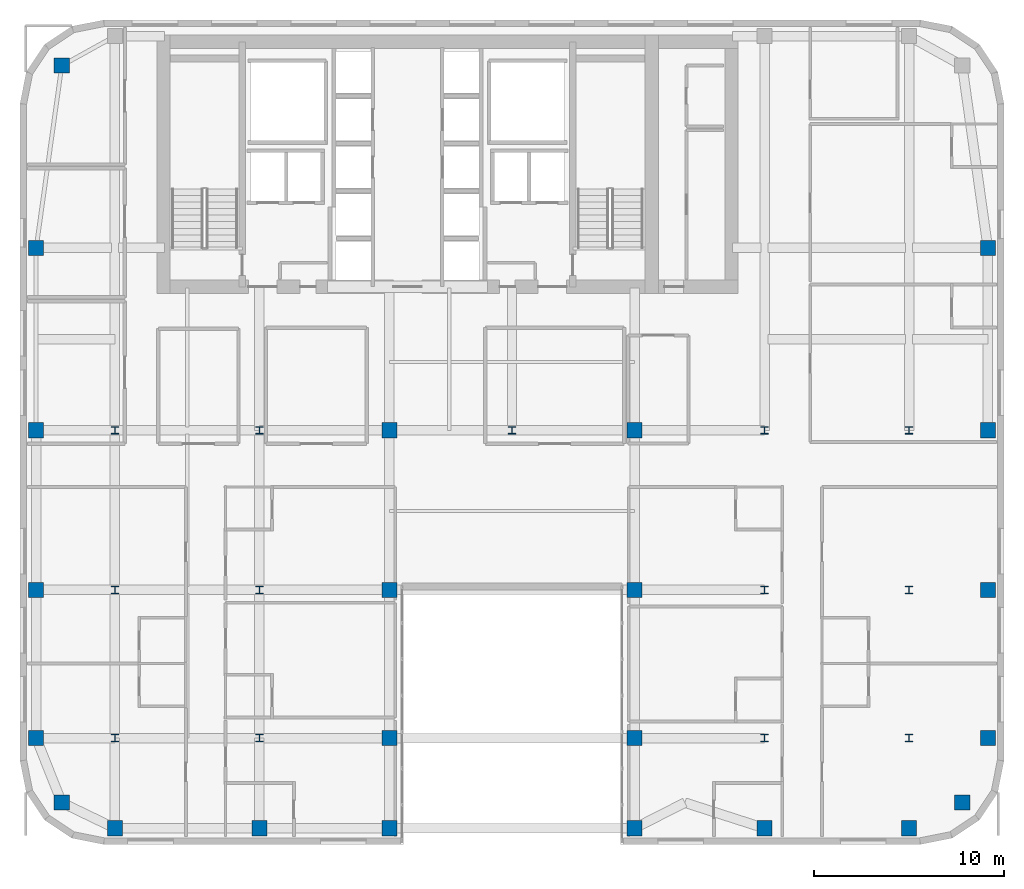
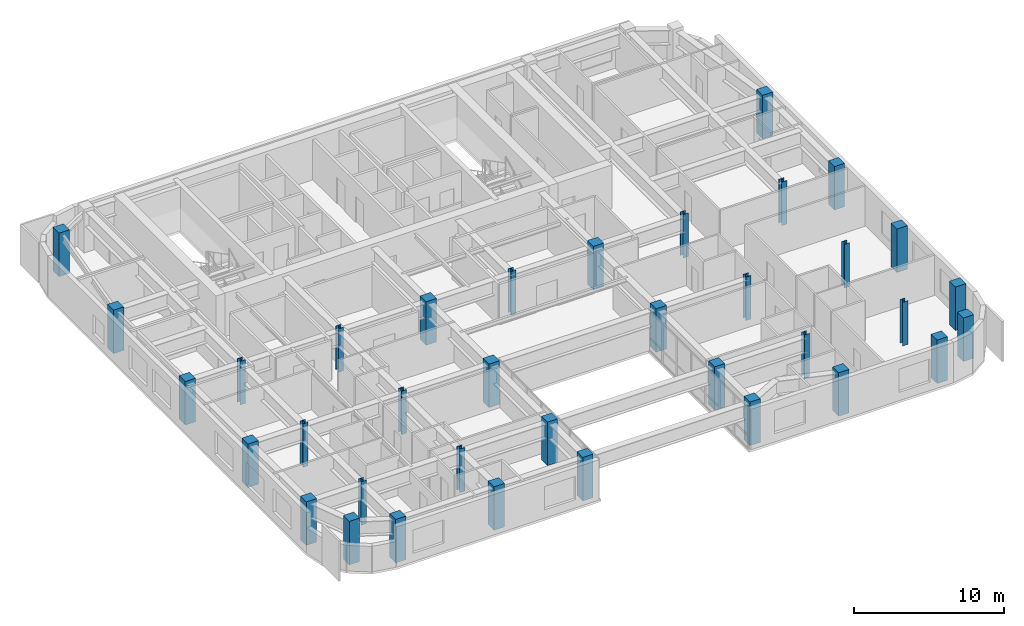
# One storey, part 1 of 13: 36 columns.
"""IFC4 building model written with IfcOpenShell, lengths in metres."""

from ifc_helpers import new_model, si_unit, direction, frame, origin, origin_2d, place, context, subcontext, project, spatial, rectangle, i_section, extrude, source, transform, mapped, material, material_profile, profile_set, type_object, type_shapes, element, save


model = new_model("IFC4")

# Units and contexts
model_context = context("Model", 3, precision=1e-05, world=origin(), true_north=direction((0.0, 1.0)))
body_context = subcontext(model_context, "Body", "Model", "MODEL_VIEW")
ifc_project = project(units=[si_unit("LENGTHUNIT", "METRE"), si_unit("AREAUNIT", "SQUARE_METRE"), si_unit("VOLUMEUNIT", "CUBIC_METRE"), si_unit("PLANEANGLEUNIT", "RADIAN"), si_unit("MASSUNIT", "GRAM", prefix="KILO")], contexts=[model_context])

# Site, building, storey
site_placement = place(None, origin())
site = spatial("IfcSite", under=ifc_project, at=site_placement, CompositionType="ELEMENT")
building_placement = place(site_placement, origin())
building = spatial("IfcBuilding", under=site, at=building_placement, Name="Tolvann Quenvar Hotel", CompositionType="ELEMENT")
storey_placement = place(building_placement, frame((0.0, 0.0, 201.75)))
storey = spatial("IfcBuildingStorey", under=building, at=storey_placement, Name="L53", CompositionType="ELEMENT", Elevation=201.75)

# Columns
ifc_material_1 = material(Name="Concrete N50 (50 MPa)", Category="concrete")
ifc_material_profile_1 = material_profile(ifc_material_1, rectangle(XDim=0.800048828125, YDim=0.800048828125, at=origin_2d()), Name="RC800x800")
ifc_profile_set_1 = profile_set([ifc_material_profile_1], Name="Concrete N50 (50 MPa)")
column_type_1 = type_object("IfcColumnType", Name="COL_RC800", PredefinedType="COLUMN", material=ifc_profile_set_1)
shared_shape_1 = source(origin(), body_context, "Body", "SweptSolid", [
    extrude(rectangle(XDim=0.800048828125, YDim=0.800048828125, at=origin_2d()), origin(), (0.0, 0.0, 1.0), 3.550048828125),
])
type_shapes(column_type_1, [shared_shape_1])
for number, where, z_axis, x_axis, name in (
    (1, (4.800048828125, 4.800048828125, 0.0), (0.0, 0.0, 1.0), (1.0, 0.0, 0.0), "Column B2 (L53)"),
    (2, (3.449951171875, 8.199951171875, 0.0), (0.0, 0.0, 1.0), (1.0, 0.0, 0.0), "Column B3 (L53)"),
    (3, (3.449951171875, 16.0, 0.0), (0.0, 0.0, 1.0), (1.0, 0.0, 0.0), "Column B4 (L53)"),
    (4, (3.449951171875, 24.39990234375, 0.0), (0.0, 0.0, 1.0), (1.0, 0.0, 0.0), "Column B5 (L53)"),
    (5, (7.60009765625, 3.449951171875, 0.0), (0.0, 0.0, 1.0), (1.0, 0.0, 0.0), "Column C2 (L53)"),
    (6, (15.199951171875, 3.449951171875, 0.0), (0.0, 0.0, 1.0), (1.0, 0.0, 0.0), "Column D2 (L53)"),
    (7, (22.050048828125, 3.449951171875, 0.0), (0.0, 0.0, 1.0), (1.0, 0.0, 0.0), "Column E2 (L53)"),
    (8, (22.050048828125, 8.199951171875, 0.0), (0.0, 0.0, 1.0), (1.0, 0.0, 0.0), "Column E3 (L53)"),
    (9, (22.050048828125, 16.0, 0.0), (0.0, 0.0, 1.0), (1.0, 0.0, 0.0), "Column E4 (L53)"),
    (10, (22.050048828125, 24.39990234375, 0.0), (0.0, 0.0, 1.0), (1.0, 0.0, 0.0), "Column E5 (L53)"),
    (11, (34.949951171875, 3.449951171875, 0.0), (0.0, 0.0, 1.0), (1.0, 0.0, 0.0), "Column F2 (L53)"),
    (12, (34.949951171875, 8.199951171875, 0.0), (0.0, 0.0, 1.0), (1.0, 0.0, 0.0), "Column F3 (L53)"),
    (13, (34.949951171875, 16.0, 0.0), (0.0, 0.0, 1.0), (1.0, 0.0, 0.0), "Column F4 (L53)"),
    (14, (34.949951171875, 24.39990234375, 0.0), (0.0, 0.0, 1.0), (1.0, 0.0, 0.0), "Column F5 (L53)"),
    (15, (41.800048828125, 3.449951171875, 0.0), (0.0, 0.0, 1.0), (1.0, 0.0, 0.0), "Column H2 (L53)"),
    (16, (49.39990234375, 3.449951171875, 0.0), (0.0, 0.0, 1.0), (1.0, 0.0, 0.0), "Column I2 (L53)"),
    (17, (52.199951171875, 4.800048828125, 0.0), (0.0, 0.0, 1.0), (1.0, 0.0, 0.0), "Column J2 (L53)"),
    (18, (53.550048828125, 8.199951171875, 0.0), (0.0, 0.0, 1.0), (1.0, 0.0, 0.0), "Column J3 (L53)"),
    (19, (53.550048828125, 16.0, 0.0), (0.0, 0.0, 1.0), (1.0, 0.0, 0.0), "Column J4 (L53)"),
    (20, (53.550048828125, 24.39990234375, 0.0), (0.0, 0.0, 1.0), (1.0, 0.0, 0.0), "Column J5 (L53)"),
    (21, (4.800048828125, 43.60009765625, 0.0), (0.0, 0.0, 1.0), (1.0, 0.0, 0.0), "Column BN (L53)"),
    (22, (3.449951171875, 34.0, 0.0), (0.0, 0.0, 1.0), (1.0, 0.0, 0.0), "Column BD6 (L53)"),
    (23, (53.550048828125, 34.0, 0.0), (0.0, 0.0, 1.0), (1.0, 0.0, 0.0), "Column JD6 (L53)"),
):
    element("IfcColumn", number, at=place(storey_placement, frame(where, z_axis=z_axis, x_axis=x_axis)), inside=storey, type_object=column_type_1, Name=name, PredefinedType="COLUMN", context=body_context, shape_type="MappedRepresentation", body=[
        mapped(shared_shape_1, transform((0.0, 0.0, 0.0), x_axis=(1.0, 0.0, 0.0), y_axis=(0.0, 1.0, 0.0), z_axis=(0.0, 0.0, 1.0), scale=1.0)),
    ])
ifc_material_2 = material(Name="Steel Grade 350", Category="steel")
ifc_material_profile_2 = material_profile(ifc_material_2, i_section(OverallWidth=0.39990234375, OverallDepth=0.39990234375, WebThickness=0.02001953125, FlangeThickness=0.034912109375, at=origin_2d()), Name="400WC270")
ifc_profile_set_2 = profile_set([ifc_material_profile_2], Name="Steel Grade 350")
column_type_2 = type_object("IfcColumnType", Name="COL_400WC270", PredefinedType="COLUMN", material=ifc_profile_set_2)
shared_shape_2 = source(origin(), body_context, "Body", "SweptSolid", [
    extrude(i_section(OverallWidth=0.39990234375, OverallDepth=0.39990234375, WebThickness=0.02001953125, FlangeThickness=0.034912109375, at=origin_2d()), origin(), (0.0, 0.0, 1.0), 3.550048828125),
])
type_shapes(column_type_2, [shared_shape_2])
for number, where, z_axis, x_axis, name in (
    (24, (7.60009765625, 8.199951171875, 0.0), (0.0, 0.0, 1.0), (1.0, 0.0, 0.0), "Column C3 (L53)"),
    (25, (7.60009765625, 16.0, 0.0), (0.0, 0.0, 1.0), (1.0, 0.0, 0.0), "Column C4 (L53)"),
    (26, (7.60009765625, 24.39990234375, 0.0), (0.0, 0.0, 1.0), (1.0, 0.0, 0.0), "Column C5 (L53)"),
    (27, (15.199951171875, 8.199951171875, 0.0), (0.0, 0.0, 1.0), (1.0, 0.0, 0.0), "Column D3 (L53)"),
    (28, (15.199951171875, 16.0, 0.0), (0.0, 0.0, 1.0), (1.0, 0.0, 0.0), "Column D4 (L53)"),
    (29, (15.199951171875, 24.39990234375, 0.0), (0.0, 0.0, 1.0), (1.0, 0.0, 0.0), "Column D5 (L53)"),
    (30, (41.800048828125, 8.199951171875, 0.0), (0.0, 0.0, 1.0), (1.0, 0.0, 0.0), "Column H3 (L53)"),
    (31, (41.800048828125, 16.0, 0.0), (0.0, 0.0, 1.0), (1.0, 0.0, 0.0), "Column H4 (L53)"),
    (32, (41.800048828125, 24.39990234375, 0.0), (0.0, 0.0, 1.0), (1.0, 0.0, 0.0), "Column H5 (L53)"),
    (33, (49.39990234375, 8.199951171875, 0.0), (0.0, 0.0, 1.0), (1.0, 0.0, 0.0), "Column I3 (L53)"),
    (34, (49.39990234375, 16.0, 0.0), (0.0, 0.0, 1.0), (1.0, 0.0, 0.0), "Column I4 (L53)"),
    (35, (49.39990234375, 24.39990234375, 0.0), (0.0, 0.0, 1.0), (1.0, 0.0, 0.0), "Column I5 (L53)"),
    (36, (28.5, 24.39990234375, 0.0), (0.0, 0.0, 1.0), (1.0, 0.0, 0.0), "Column M5 (L53)"),
):
    element("IfcColumn", number, at=place(storey_placement, frame(where, z_axis=z_axis, x_axis=x_axis)), inside=storey, type_object=column_type_2, Name=name, PredefinedType="COLUMN", context=body_context, shape_type="MappedRepresentation", body=[
        mapped(shared_shape_2, transform((0.0, 0.0, 0.0), x_axis=(1.0, 0.0, 0.0), y_axis=(0.0, 1.0, 0.0), z_axis=(0.0, 0.0, 1.0), scale=1.0)),
    ])

save(model, "model.ifc")
